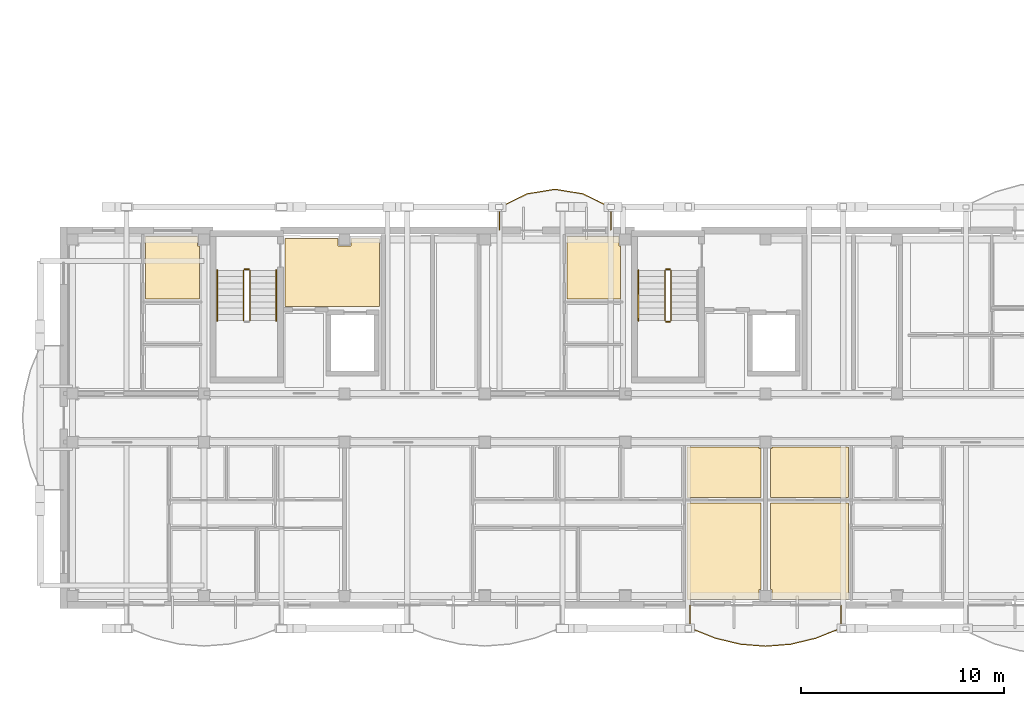
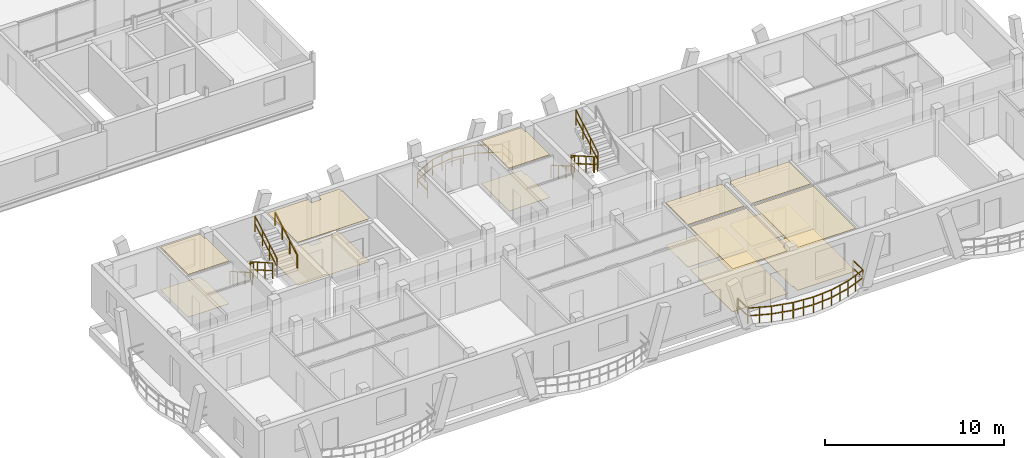
# One storey, part 89 of 109: 14 coverings, 12 railings.
"""IFC4 building model written with IfcOpenShell, lengths in metres."""

from ifc_helpers import new_model, si_unit, direction, frame, origin, origin_2d, place, context, subcontext, project, spatial, polyline, rectangle, outline, extrude, material, layer, layer_set, type_object, element, save


model = new_model("IFC4")

# Units and contexts
model_context = context("Model", 3, precision=1e-05, world=origin(), true_north=direction((0.0, 1.0)))
body_context = subcontext(model_context, "Body", "Model", "MODEL_VIEW")
ifc_project = project(units=[si_unit("LENGTHUNIT", "METRE"), si_unit("AREAUNIT", "SQUARE_METRE"), si_unit("VOLUMEUNIT", "CUBIC_METRE"), si_unit("PLANEANGLEUNIT", "RADIAN"), si_unit("MASSUNIT", "GRAM", prefix="KILO")], contexts=[model_context])

# Site, building, storey
site_placement = place(None, origin())
site = spatial("IfcSite", under=ifc_project, at=site_placement, CompositionType="ELEMENT")
building_placement = place(site_placement, origin())
building = spatial("IfcBuilding", under=site, at=building_placement, Name="Zavelmont Quarter", CompositionType="ELEMENT")
storey_placement = place(building_placement, frame((0.0, 0.0, 8.0)))
storey = spatial("IfcBuildingStorey", under=building, at=storey_placement, Name="L02", CompositionType="ELEMENT", Elevation=8.0)

# Coverings
ifc_material_1 = material(Name="Perforated acoustic gypsum board")
ifc_layer_1 = layer(ifc_material_1, 0.02490234375)
ifc_layer_set_1 = layer_set([ifc_layer_1], Name="Perforated acoustic gypsum board")
covering_type_1 = type_object("IfcCoveringType", Name="CV-CL01", PredefinedType="CEILING", material=ifc_layer_set_1)
covering_1_placement = place(storey_placement, frame((0.0, 0.0, 2.9150390625)))
element("IfcCovering", 1, at=covering_1_placement, inside=storey, type_object=covering_type_1, Name="L02 Firefighting Lobby acoustic ceiling", PredefinedType="CEILING", context=body_context, shape_type="SweptSolid", body=[
    extrude(outline(polyline([(10.8798828125, 18.02001953125), (13.485107421875, 18.02001953125), (13.485107421875, 17.64501953125), (14.114990234375, 17.64501953125), (14.114990234375, 18.02001953125), (15.52001953125, 18.02001953125), (15.52001953125, 14.679931640625), (10.8798828125, 14.679931640625), (10.8798828125, 18.02001953125)])), origin(), (0.0, 0.0, 1.0), 0.02490234375),
])
covering_2_placement = place(storey_placement, frame((0.0, 0.0, 2.9150390625)))
element("IfcCovering", 2, at=covering_2_placement, inside=storey, type_object=covering_type_1, Name="L02 Master Bedroom acoustic ceiling", PredefinedType="CEILING", context=body_context, shape_type="SweptSolid", body=[
    extrude(outline(polyline([(30.6298828125, 5.02001953125), (34.27001953125, 5.02001953125), (34.27001953125, 0.7548828125), (34.18505859375, 0.7548828125), (34.18505859375, 0.280029296875), (30.6298828125, 0.280029296875), (30.6298828125, 5.02001953125)])), origin(), (0.0, 0.0, 1.0), 0.02490234375),
])
covering_3_placement = place(storey_placement, frame((0.0, 0.0, 2.9150390625)))
element("IfcCovering", 3, at=covering_3_placement, inside=storey, type_object=covering_type_1, Name="L02 Double Bedroom acoustic ceiling", PredefinedType="CEILING", context=body_context, shape_type="SweptSolid", body=[
    extrude(outline(polyline([(34.72998046875, 5.02001953125), (38.570068359375, 5.02001953125), (38.570068359375, 0.280029296875), (34.81494140625, 0.280029296875), (34.81494140625, 0.7548828125), (34.72998046875, 0.7548828125), (34.72998046875, 5.02001953125)])), origin(), (0.0, 0.0, 1.0), 0.02490234375),
])
covering_4_placement = place(storey_placement, frame((0.0, 0.0, 2.9150390625)))
element("IfcCovering", 4, at=covering_4_placement, inside=storey, type_object=covering_type_1, Name="L02 Single Bedroom acoustic ceiling", PredefinedType="CEILING", context=body_context, shape_type="SweptSolid", body=[
    extrude(outline(polyline([(4.030029296875, 18.1201171875), (6.5849609375, 18.1201171875), (6.5849609375, 17.64501953125), (6.669921875, 17.64501953125), (6.669921875, 15.030029296875), (4.030029296875, 15.030029296875), (4.030029296875, 18.1201171875)])), origin(), (0.0, 0.0, 1.0), 0.02490234375),
])
covering_5_placement = place(storey_placement, frame((0.0, 0.0, 2.9150390625)))
element("IfcCovering", 5, at=covering_5_placement, inside=storey, type_object=covering_type_1, Name="L02 Single Bedroom acoustic ceiling", PredefinedType="CEILING", context=body_context, shape_type="SweptSolid", body=[
    extrude(outline(polyline([(24.72998046875, 18.1201171875), (27.284912109375, 18.1201171875), (27.284912109375, 17.64501953125), (27.3701171875, 17.64501953125), (27.3701171875, 15.030029296875), (24.72998046875, 15.030029296875), (24.72998046875, 18.1201171875)])), origin(), (0.0, 0.0, 1.0), 0.02490234375),
])
ifc_material_2 = material(Name="Moisture-resistant painted gypsum ceiling")
ifc_layer_2 = layer(ifc_material_2, 0.02001953125)
ifc_layer_set_2 = layer_set([ifc_layer_2], Name="Moisture-resistant painted gypsum ceiling")
covering_type_2 = type_object("IfcCoveringType", Name="CV-CL04", PredefinedType="CEILING", material=ifc_layer_set_2)
covering_6_placement = place(storey_placement, frame((0.0, 0.0, 2.919921875)))
element("IfcCovering", 6, at=covering_6_placement, inside=storey, type_object=covering_type_2, Name="L02 Bathroom acoustic ceiling", PredefinedType="CEILING", context=body_context, shape_type="SweptSolid", body=[
    extrude(outline(polyline([(30.6298828125, 7.77001953125), (34.18505859375, 7.77001953125), (34.18505859375, 7.68505859375), (34.27001953125, 7.68505859375), (34.27001953125, 5.280029296875), (30.6298828125, 5.280029296875), (30.6298828125, 7.77001953125)])), origin(), (0.0, 0.0, 1.0), 0.02001953125),
])
covering_7_placement = place(storey_placement, frame((0.0, 0.0, 2.919921875)))
element("IfcCovering", 7, at=covering_7_placement, inside=storey, type_object=covering_type_2, Name="L02 Bathroom acoustic ceiling", PredefinedType="CEILING", context=body_context, shape_type="SweptSolid", body=[
    extrude(outline(polyline([(34.72998046875, 7.68505859375), (34.81494140625, 7.68505859375), (34.81494140625, 7.77001953125), (38.570068359375, 7.77001953125), (38.570068359375, 5.280029296875), (34.72998046875, 5.280029296875), (34.72998046875, 7.68505859375)])), origin(), (0.0, 0.0, 1.0), 0.02001953125),
])
ifc_material_3 = material(Name="Engineered European oak parquet")
ifc_layer_3 = layer(ifc_material_3, 0.02197265625)
ifc_layer_set_3 = layer_set([ifc_layer_3], Name="Engineered European oak parquet")
covering_type_3 = type_object("IfcCoveringType", Name="CV-FL01", PredefinedType="FLOORING", material=ifc_layer_set_3)
covering_8_placement = place(storey_placement, origin())
element("IfcCovering", 8, at=covering_8_placement, inside=storey, type_object=covering_type_3, Name="L02 Firefighting Lobby floor finish", PredefinedType="FLOORING", context=body_context, shape_type="SweptSolid", body=[
    extrude(outline(polyline([(10.8798828125, 18.02001953125), (13.485107421875, 18.02001953125), (13.485107421875, 17.64501953125), (14.114990234375, 17.64501953125), (14.114990234375, 18.02001953125), (15.52001953125, 18.02001953125), (15.52001953125, 14.679931640625), (10.8798828125, 14.679931640625), (10.8798828125, 18.02001953125)])), origin(), (0.0, 0.0, 1.0), 0.02197265625),
])
covering_9_placement = place(storey_placement, origin())
element("IfcCovering", 9, at=covering_9_placement, inside=storey, type_object=covering_type_3, Name="L02 Master Bedroom floor finish", PredefinedType="FLOORING", context=body_context, shape_type="SweptSolid", body=[
    extrude(outline(polyline([(30.6298828125, 5.02001953125), (34.27001953125, 5.02001953125), (34.27001953125, 0.7548828125), (34.18505859375, 0.7548828125), (34.18505859375, 0.280029296875), (30.6298828125, 0.280029296875), (30.6298828125, 5.02001953125)])), origin(), (0.0, 0.0, 1.0), 0.02197265625),
])
covering_10_placement = place(storey_placement, origin())
element("IfcCovering", 10, at=covering_10_placement, inside=storey, type_object=covering_type_3, Name="L02 Double Bedroom floor finish", PredefinedType="FLOORING", context=body_context, shape_type="SweptSolid", body=[
    extrude(outline(polyline([(34.72998046875, 5.02001953125), (38.570068359375, 5.02001953125), (38.570068359375, 0.280029296875), (34.81494140625, 0.280029296875), (34.81494140625, 0.7548828125), (34.72998046875, 0.7548828125), (34.72998046875, 5.02001953125)])), origin(), (0.0, 0.0, 1.0), 0.02197265625),
])
covering_11_placement = place(storey_placement, origin())
element("IfcCovering", 11, at=covering_11_placement, inside=storey, type_object=covering_type_3, Name="L02 Single Bedroom floor finish", PredefinedType="FLOORING", context=body_context, shape_type="SweptSolid", body=[
    extrude(outline(polyline([(4.030029296875, 18.1201171875), (6.5849609375, 18.1201171875), (6.5849609375, 17.64501953125), (6.669921875, 17.64501953125), (6.669921875, 15.030029296875), (4.030029296875, 15.030029296875), (4.030029296875, 18.1201171875)])), origin(), (0.0, 0.0, 1.0), 0.02197265625),
])
covering_12_placement = place(storey_placement, origin())
element("IfcCovering", 12, at=covering_12_placement, inside=storey, type_object=covering_type_3, Name="L02 Single Bedroom floor finish", PredefinedType="FLOORING", context=body_context, shape_type="SweptSolid", body=[
    extrude(outline(polyline([(24.72998046875, 18.1201171875), (27.284912109375, 18.1201171875), (27.284912109375, 17.64501953125), (27.3701171875, 17.64501953125), (27.3701171875, 15.030029296875), (24.72998046875, 15.030029296875), (24.72998046875, 18.1201171875)])), origin(), (0.0, 0.0, 1.0), 0.02197265625),
])
ifc_material_4 = material(Name="Slip-resistant porcelain tile")
ifc_layer_4 = layer(ifc_material_4, 0.02587890625)
ifc_layer_set_4 = layer_set([ifc_layer_4], Name="Slip-resistant porcelain tile")
covering_type_4 = type_object("IfcCoveringType", Name="CV-FL04", PredefinedType="FLOORING", material=ifc_layer_set_4)
covering_13_placement = place(storey_placement, origin())
element("IfcCovering", 13, at=covering_13_placement, inside=storey, type_object=covering_type_4, Name="L02 Bathroom floor finish", PredefinedType="FLOORING", context=body_context, shape_type="SweptSolid", body=[
    extrude(outline(polyline([(30.6298828125, 7.77001953125), (34.18505859375, 7.77001953125), (34.18505859375, 7.68505859375), (34.27001953125, 7.68505859375), (34.27001953125, 5.280029296875), (30.6298828125, 5.280029296875), (30.6298828125, 7.77001953125)])), origin(), (0.0, 0.0, 1.0), 0.02587890625),
])
covering_14_placement = place(storey_placement, origin())
element("IfcCovering", 14, at=covering_14_placement, inside=storey, type_object=covering_type_4, Name="L02 Bathroom floor finish", PredefinedType="FLOORING", context=body_context, shape_type="SweptSolid", body=[
    extrude(outline(polyline([(34.72998046875, 7.68505859375), (34.81494140625, 7.68505859375), (34.81494140625, 7.77001953125), (38.570068359375, 7.77001953125), (38.570068359375, 5.280029296875), (34.72998046875, 5.280029296875), (34.72998046875, 7.68505859375)])), origin(), (0.0, 0.0, 1.0), 0.02587890625),
])

# Railings
ifc_material_5 = material(Name="Powder-coated steel and tempered double safety glass", Category="steel")
railing_type_1 = type_object("IfcRailingType", Name="RL-BAL1", PredefinedType="BALUSTRADE", material=ifc_material_5)
railing_1_placement = place(storey_placement, frame((30.785888671875, -0.02001953125, 0.0)))
element("IfcRailing", 15, at=railing_1_placement, inside=storey, type_object=railing_type_1, Name="L02 Block A curved balcony guard RL-BAL1", PredefinedType="BALUSTRADE", context=body_context, shape_type="SweptSolid", body=[
    extrude(rectangle(XDim=0.048095703125, YDim=0.048095703125, at=origin_2d()), frame((0.0, 0.0, 1.076171875), z_axis=(0.0, -1.0, 0.0), x_axis=(1.0, 0.0, 0.0)), (0.0, 0.0, 1.0), 1.1162109375),
    extrude(rectangle(XDim=0.048095703125, YDim=0.048095703125, at=origin_2d()), frame((0.0, 0.0, 0.550048828125), z_axis=(0.0, -1.0, 0.0), x_axis=(1.0, 0.0, 0.0)), (0.0, 0.0, 1.0), 1.1162109375),
    extrude(rectangle(XDim=0.048095703125, YDim=0.048095703125, at=origin_2d()), frame((0.0, -1.1162109375, 1.076171875), z_axis=(0.928312474774, -0.37180095371, 0.0), x_axis=(0.37180095371, 0.928312474774, 0.0)), (0.0, 0.0, 1.0), 1.333740234375),
    extrude(rectangle(XDim=0.048095703125, YDim=0.048095703125, at=origin_2d()), frame((0.0, -1.1162109375, 0.550048828125), z_axis=(0.928312474774, -0.37180095371, 0.0), x_axis=(0.37180095371, 0.928312474774, 0.0)), (0.0, 0.0, 1.0), 1.333740234375),
    extrude(rectangle(XDim=0.048095703125, YDim=0.048095703125, at=origin_2d()), frame((1.238037109375, -1.612060546875, 1.076171875), z_axis=(0.972301955832, -0.233728275322, 0.0), x_axis=(0.233728275322, 0.972301955832, 0.0)), (0.0, 0.0, 1.0), 1.273193359375),
    extrude(rectangle(XDim=0.048095703125, YDim=0.048095703125, at=origin_2d()), frame((1.238037109375, -1.612060546875, 0.550048828125), z_axis=(0.972301955832, -0.233728275322, 0.0), x_axis=(0.233728275322, 0.972301955832, 0.0)), (0.0, 0.0, 1.0), 1.273193359375),
    extrude(rectangle(XDim=0.048095703125, YDim=0.048095703125, at=origin_2d()), frame((2.47607421875, -1.90966796875, 1.076171875), z_axis=(0.996794619653, -0.080003038888, 0.0), x_axis=(0.080003038888, 0.996794619653, 0.0)), (0.0, 0.0, 1.0), 1.241943359375),
    extrude(rectangle(XDim=0.048095703125, YDim=0.048095703125, at=origin_2d()), frame((2.47607421875, -1.90966796875, 0.550048828125), z_axis=(0.996794619653, -0.080003038888, 0.0), x_axis=(0.080003038888, 0.996794619653, 0.0)), (0.0, 0.0, 1.0), 1.241943359375),
    extrude(rectangle(XDim=0.048095703125, YDim=0.048095703125, at=origin_2d()), frame((3.714111328125, -2.009033203125, 1.076171875), z_axis=(0.996794619653, 0.080003038888, 0.0), x_axis=(-0.080003038888, 0.996794619653, 0.0)), (0.0, 0.0, 1.0), 1.241943359375),
    extrude(rectangle(XDim=0.048095703125, YDim=0.048095703125, at=origin_2d()), frame((3.714111328125, -2.009033203125, 0.550048828125), z_axis=(0.996794619653, 0.080003038888, 0.0), x_axis=(-0.080003038888, 0.996794619653, 0.0)), (0.0, 0.0, 1.0), 1.241943359375),
    extrude(rectangle(XDim=0.048095703125, YDim=0.048095703125, at=origin_2d()), frame((4.9521484375, -1.90966796875, 1.076171875), z_axis=(0.972301955832, 0.233728275322, 0.0), x_axis=(-0.233728275322, 0.972301955832, 0.0)), (0.0, 0.0, 1.0), 1.273193359375),
    extrude(rectangle(XDim=0.048095703125, YDim=0.048095703125, at=origin_2d()), frame((4.9521484375, -1.90966796875, 0.550048828125), z_axis=(0.972301955832, 0.233728275322, 0.0), x_axis=(-0.233728275322, 0.972301955832, 0.0)), (0.0, 0.0, 1.0), 1.273193359375),
    extrude(rectangle(XDim=0.048095703125, YDim=0.048095703125, at=origin_2d()), frame((6.190185546875, -1.612060546875, 1.076171875), z_axis=(0.928312474774, 0.37180095371, 0.0), x_axis=(-0.37180095371, 0.928312474774, 0.0)), (0.0, 0.0, 1.0), 1.333740234375),
    extrude(rectangle(XDim=0.048095703125, YDim=0.048095703125, at=origin_2d()), frame((6.190185546875, -1.612060546875, 0.550048828125), z_axis=(0.928312474774, 0.37180095371, 0.0), x_axis=(-0.37180095371, 0.928312474774, 0.0)), (0.0, 0.0, 1.0), 1.333740234375),
    extrude(rectangle(XDim=0.048095703125, YDim=0.048095703125, at=origin_2d()), frame((7.42822265625, -1.1162109375, 1.076171875), z_axis=(0.0, 1.0, 0.0), x_axis=(-1.0, 0.0, 0.0)), (0.0, 0.0, 1.0), 1.1162109375),
    extrude(rectangle(XDim=0.048095703125, YDim=0.048095703125, at=origin_2d()), frame((7.42822265625, -1.1162109375, 0.550048828125), z_axis=(0.0, 1.0, 0.0), x_axis=(-1.0, 0.0, 0.0)), (0.0, 0.0, 1.0), 1.1162109375),
    extrude(rectangle(XDim=0.0419921875, YDim=0.0419921875, at=origin_2d()), origin(), (0.0, 0.0, 1.0), 1.052001953125),
    extrude(rectangle(XDim=0.0419921875, YDim=0.0419921875, at=origin_2d()), frame((0.0, -1.1162109375, 0.0)), (0.0, 0.0, 1.0), 1.052001953125),
    extrude(rectangle(XDim=0.0419921875, YDim=0.0419921875, at=origin_2d()), frame((0.619140625, -1.3642578125, 0.0)), (0.0, 0.0, 1.0), 1.052001953125),
    extrude(rectangle(XDim=0.0419921875, YDim=0.0419921875, at=origin_2d()), frame((1.238037109375, -1.612060546875, 0.0)), (0.0, 0.0, 1.0), 1.052001953125),
    extrude(rectangle(XDim=0.0419921875, YDim=0.0419921875, at=origin_2d()), frame((1.85693359375, -1.7607421875, 0.0)), (0.0, 0.0, 1.0), 1.052001953125),
    extrude(rectangle(XDim=0.0419921875, YDim=0.0419921875, at=origin_2d()), frame((2.47607421875, -1.90966796875, 0.0)), (0.0, 0.0, 1.0), 1.052001953125),
    extrude(rectangle(XDim=0.0419921875, YDim=0.0419921875, at=origin_2d()), frame((3.09521484375, -1.95947265625, 0.0)), (0.0, 0.0, 1.0), 1.052001953125),
    extrude(rectangle(XDim=0.0419921875, YDim=0.0419921875, at=origin_2d()), frame((3.714111328125, -2.009033203125, 0.0)), (0.0, 0.0, 1.0), 1.052001953125),
    extrude(rectangle(XDim=0.0419921875, YDim=0.0419921875, at=origin_2d()), frame((4.3330078125, -1.95947265625, 0.0)), (0.0, 0.0, 1.0), 1.052001953125),
    extrude(rectangle(XDim=0.0419921875, YDim=0.0419921875, at=origin_2d()), frame((4.9521484375, -1.90966796875, 0.0)), (0.0, 0.0, 1.0), 1.052001953125),
    extrude(rectangle(XDim=0.0419921875, YDim=0.0419921875, at=origin_2d()), frame((5.5712890625, -1.7607421875, 0.0)), (0.0, 0.0, 1.0), 1.052001953125),
    extrude(rectangle(XDim=0.0419921875, YDim=0.0419921875, at=origin_2d()), frame((6.190185546875, -1.612060546875, 0.0)), (0.0, 0.0, 1.0), 1.052001953125),
    extrude(rectangle(XDim=0.0419921875, YDim=0.0419921875, at=origin_2d()), frame((6.80908203125, -1.3642578125, 0.0)), (0.0, 0.0, 1.0), 1.052001953125),
    extrude(rectangle(XDim=0.0419921875, YDim=0.0419921875, at=origin_2d()), frame((7.42822265625, -1.1162109375, 0.0)), (0.0, 0.0, 1.0), 1.052001953125),
    extrude(rectangle(XDim=0.0419921875, YDim=0.0419921875, at=origin_2d()), frame((7.42822265625, 0.0, 0.0)), (0.0, 0.0, 1.0), 1.052001953125),
])
railing_2_placement = place(storey_placement, frame((26.888916015625, 18.419921875, 0.0)))
element("IfcRailing", 16, at=railing_2_placement, inside=storey, type_object=railing_type_1, Name="L02 Block A curved balcony guard RL-BAL1", PredefinedType="BALUSTRADE", context=body_context, shape_type="SweptSolid", body=[
    extrude(rectangle(XDim=0.048095703125, YDim=0.048095703125, at=origin_2d()), frame((0.0, 0.0, 1.076171875), z_axis=(0.0, 1.0, 0.0), x_axis=(-1.0, 0.0, 0.0)), (0.0, 0.0, 1.0), 1.1162109375),
    extrude(rectangle(XDim=0.048095703125, YDim=0.048095703125, at=origin_2d()), frame((0.0, 0.0, 0.550048828125), z_axis=(0.0, 1.0, 0.0), x_axis=(-1.0, 0.0, 0.0)), (0.0, 0.0, 1.0), 1.1162109375),
    extrude(rectangle(XDim=0.048095703125, YDim=0.048095703125, at=origin_2d()), frame((0.0, 1.1162109375, 1.076171875), z_axis=(-0.89836329775, 0.439253213142, 0.0), x_axis=(-0.439253213142, -0.89836329775, 0.0)), (0.0, 0.0, 1.0), 1.524658203125),
    extrude(rectangle(XDim=0.048095703125, YDim=0.048095703125, at=origin_2d()), frame((0.0, 1.1162109375, 0.550048828125), z_axis=(-0.89836329775, 0.439253213142, 0.0), x_axis=(-0.439253213142, -0.89836329775, 0.0)), (0.0, 0.0, 1.0), 1.524658203125),
    extrude(rectangle(XDim=0.048095703125, YDim=0.048095703125, at=origin_2d()), frame((-1.36962890625, 1.785888671875, 1.076171875), z_axis=(-0.986981947798, 0.160831075109, 0.0), x_axis=(-0.160831075109, -0.986981947798, 0.0)), (0.0, 0.0, 1.0), 1.387451171875),
    extrude(rectangle(XDim=0.048095703125, YDim=0.048095703125, at=origin_2d()), frame((-1.36962890625, 1.785888671875, 0.550048828125), z_axis=(-0.986981947798, 0.160831075109, 0.0), x_axis=(-0.160831075109, -0.986981947798, 0.0)), (0.0, 0.0, 1.0), 1.387451171875),
    extrude(rectangle(XDim=0.048095703125, YDim=0.048095703125, at=origin_2d()), frame((-2.739013671875, 2.009033203125, 1.076171875), z_axis=(-0.986981947798, -0.160831075109, 0.0), x_axis=(0.160831075109, -0.986981947798, 0.0)), (0.0, 0.0, 1.0), 1.387451171875),
    extrude(rectangle(XDim=0.048095703125, YDim=0.048095703125, at=origin_2d()), frame((-2.739013671875, 2.009033203125, 0.550048828125), z_axis=(-0.986981947798, -0.160831075109, 0.0), x_axis=(0.160831075109, -0.986981947798, 0.0)), (0.0, 0.0, 1.0), 1.387451171875),
    extrude(rectangle(XDim=0.048095703125, YDim=0.048095703125, at=origin_2d()), frame((-4.1083984375, 1.785888671875, 1.076171875), z_axis=(-0.898332393888, -0.439316412272, 0.0), x_axis=(0.439316412272, -0.898332393888, 0.0)), (0.0, 0.0, 1.0), 1.5244140625),
    extrude(rectangle(XDim=0.048095703125, YDim=0.048095703125, at=origin_2d()), frame((-4.1083984375, 1.785888671875, 0.550048828125), z_axis=(-0.898332393888, -0.439316412272, 0.0), x_axis=(0.439316412272, -0.898332393888, 0.0)), (0.0, 0.0, 1.0), 1.5244140625),
    extrude(rectangle(XDim=0.048095703125, YDim=0.048095703125, at=origin_2d()), frame((-5.477783203125, 1.1162109375, 1.076171875), z_axis=(0.0, -1.0, 0.0), x_axis=(1.0, 0.0, 0.0)), (0.0, 0.0, 1.0), 1.1162109375),
    extrude(rectangle(XDim=0.048095703125, YDim=0.048095703125, at=origin_2d()), frame((-5.477783203125, 1.1162109375, 0.550048828125), z_axis=(0.0, -1.0, 0.0), x_axis=(1.0, 0.0, 0.0)), (0.0, 0.0, 1.0), 1.1162109375),
    extrude(rectangle(XDim=0.0419921875, YDim=0.0419921875, at=origin_2d()), origin(), (0.0, 0.0, 1.0), 1.052001953125),
    extrude(rectangle(XDim=0.0419921875, YDim=0.0419921875, at=origin_2d()), frame((0.0, 1.1162109375, 0.0)), (0.0, 0.0, 1.0), 1.052001953125),
    extrude(rectangle(XDim=0.0419921875, YDim=0.0419921875, at=origin_2d()), frame((-0.684814453125, 1.451171875, 0.0)), (0.0, 0.0, 1.0), 1.052001953125),
    extrude(rectangle(XDim=0.0419921875, YDim=0.0419921875, at=origin_2d()), frame((-1.36962890625, 1.785888671875, 0.0)), (0.0, 0.0, 1.0), 1.052001953125),
    extrude(rectangle(XDim=0.0419921875, YDim=0.0419921875, at=origin_2d()), frame((-2.05419921875, 1.8974609375, 0.0)), (0.0, 0.0, 1.0), 1.052001953125),
    extrude(rectangle(XDim=0.0419921875, YDim=0.0419921875, at=origin_2d()), frame((-2.739013671875, 2.009033203125, 0.0)), (0.0, 0.0, 1.0), 1.052001953125),
    extrude(rectangle(XDim=0.0419921875, YDim=0.0419921875, at=origin_2d()), frame((-3.423828125, 1.8974609375, 0.0)), (0.0, 0.0, 1.0), 1.052001953125),
    extrude(rectangle(XDim=0.0419921875, YDim=0.0419921875, at=origin_2d()), frame((-4.1083984375, 1.785888671875, 0.0)), (0.0, 0.0, 1.0), 1.052001953125),
    extrude(rectangle(XDim=0.0419921875, YDim=0.0419921875, at=origin_2d()), frame((-4.79296875, 1.451171875, 0.0)), (0.0, 0.0, 1.0), 1.052001953125),
    extrude(rectangle(XDim=0.0419921875, YDim=0.0419921875, at=origin_2d()), frame((-5.477783203125, 1.1162109375, 0.0)), (0.0, 0.0, 1.0), 1.052001953125),
    extrude(rectangle(XDim=0.0419921875, YDim=0.0419921875, at=origin_2d()), frame((-5.477783203125, 0.0, 0.0)), (0.0, 0.0, 1.0), 1.052001953125),
])
ifc_material_6 = material(Name="Powder-coated steel stair guardrail", Category="steel")
railing_type_2 = type_object("IfcRailingType", Name="RL-GRD1", PredefinedType="GUARDRAIL", material=ifc_material_6)
railing_3_placement = place(storey_placement, frame((8.85009765625, 16.449951171875, 0.177734375)))
element("IfcRailing", 17, at=railing_3_placement, inside=storey, type_object=railing_type_2, Name="L02 ST01 stair guardrail 1", PredefinedType="GUARDRAIL", context=body_context, shape_type="SweptSolid", body=[
    extrude(rectangle(XDim=0.048095703125, YDim=0.048095703125, at=origin_2d()), frame((0.0, 0.0, 1.076171875), z_axis=(0.0, -0.867453774394, 0.497517787913), x_axis=(1.0, 0.0, 0.0)), (0.0, 0.0, 1.0), 2.85888671875),
    extrude(rectangle(XDim=0.048095703125, YDim=0.048095703125, at=origin_2d()), frame((0.0, 0.0, 0.550048828125), z_axis=(0.0, -0.867453774394, 0.497517787913), x_axis=(1.0, 0.0, 0.0)), (0.0, 0.0, 1.0), 2.85888671875),
    extrude(rectangle(XDim=0.0419921875, YDim=0.0419921875, at=origin_2d()), origin(), (0.0, 0.0, 1.0), 1.052001953125),
    extrude(rectangle(XDim=0.0419921875, YDim=0.0419921875, at=origin_2d()), frame((0.0, -0.82666015625, 0.47412109375)), (0.0, 0.0, 1.0), 1.052001953125),
    extrude(rectangle(XDim=0.0419921875, YDim=0.0419921875, at=origin_2d()), frame((0.0, -1.6533203125, 0.9482421875)), (0.0, 0.0, 1.0), 1.052001953125),
    extrude(rectangle(XDim=0.0419921875, YDim=0.0419921875, at=origin_2d()), frame((0.0, -2.47998046875, 1.42236328125)), (0.0, 0.0, 1.0), 1.052001953125),
])
railing_4_placement = place(storey_placement, frame((9.14990234375, 13.969970703125, 1.77783203125)))
element("IfcRailing", 18, at=railing_4_placement, inside=storey, type_object=railing_type_2, Name="L02 ST01 stair guardrail 3", PredefinedType="GUARDRAIL", context=body_context, shape_type="SweptSolid", body=[
    extrude(rectangle(XDim=0.048095703125, YDim=0.048095703125, at=origin_2d()), frame((0.0, 0.0, 1.076171875), z_axis=(0.0, 0.867490628297, 0.497453525283), x_axis=(-1.0, 0.0, 0.0)), (0.0, 0.0, 1.0), 2.85888671875),
    extrude(rectangle(XDim=0.048095703125, YDim=0.048095703125, at=origin_2d()), frame((0.0, 0.0, 0.550048828125), z_axis=(0.0, 0.867490628297, 0.497453525283), x_axis=(-1.0, 0.0, 0.0)), (0.0, 0.0, 1.0), 2.85888671875),
    extrude(rectangle(XDim=0.0419921875, YDim=0.0419921875, at=origin_2d()), origin(), (0.0, 0.0, 1.0), 1.052001953125),
    extrude(rectangle(XDim=0.0419921875, YDim=0.0419921875, at=origin_2d()), frame((0.0, 0.82666015625, 0.47412109375)), (0.0, 0.0, 1.0), 1.052001953125),
    extrude(rectangle(XDim=0.0419921875, YDim=0.0419921875, at=origin_2d()), frame((0.0, 1.6533203125, 0.947998046875)), (0.0, 0.0, 1.0), 1.052001953125),
    extrude(rectangle(XDim=0.0419921875, YDim=0.0419921875, at=origin_2d()), frame((0.0, 2.47998046875, 1.422119140625)), (0.0, 0.0, 1.0), 1.052001953125),
])
railing_5_placement = place(storey_placement, frame((8.89990234375, 16.5, 0.0)))
element("IfcRailing", 19, at=railing_5_placement, inside=storey, type_object=railing_type_2, Name="L02 ST01 stair guardrail 4", PredefinedType="GUARDRAIL", context=body_context, shape_type="SweptSolid", body=[
    extrude(rectangle(XDim=0.048095703125, YDim=0.048095703125, at=origin_2d()), frame((0.0, 0.0, 1.076171875), z_axis=(1.0, 0.0, 0.0), x_axis=(0.0, 1.0, 0.0)), (0.0, 0.0, 1.0), 0.2001953125),
    extrude(rectangle(XDim=0.048095703125, YDim=0.048095703125, at=origin_2d()), frame((0.0, 0.0, 0.550048828125), z_axis=(1.0, 0.0, 0.0), x_axis=(0.0, 1.0, 0.0)), (0.0, 0.0, 1.0), 0.2001953125),
    extrude(rectangle(XDim=0.0419921875, YDim=0.0419921875, at=origin_2d()), origin(), (0.0, 0.0, 1.0), 1.052001953125),
    extrude(rectangle(XDim=0.0419921875, YDim=0.0419921875, at=origin_2d()), frame((0.2001953125, 0.0, 0.0)), (0.0, 0.0, 1.0), 1.052001953125),
])
railing_6_placement = place(storey_placement, frame((29.550048828125, 16.449951171875, 0.177734375)))
element("IfcRailing", 20, at=railing_6_placement, inside=storey, type_object=railing_type_2, Name="L02 ST02 stair guardrail 1", PredefinedType="GUARDRAIL", context=body_context, shape_type="SweptSolid", body=[
    extrude(rectangle(XDim=0.048095703125, YDim=0.048095703125, at=origin_2d()), frame((0.0, 0.0, 1.076171875), z_axis=(0.0, -0.867453774394, 0.497517787913), x_axis=(1.0, 0.0, 0.0)), (0.0, 0.0, 1.0), 2.85888671875),
    extrude(rectangle(XDim=0.048095703125, YDim=0.048095703125, at=origin_2d()), frame((0.0, 0.0, 0.550048828125), z_axis=(0.0, -0.867453774394, 0.497517787913), x_axis=(1.0, 0.0, 0.0)), (0.0, 0.0, 1.0), 2.85888671875),
    extrude(rectangle(XDim=0.0419921875, YDim=0.0419921875, at=origin_2d()), origin(), (0.0, 0.0, 1.0), 1.052001953125),
    extrude(rectangle(XDim=0.0419921875, YDim=0.0419921875, at=origin_2d()), frame((0.0, -0.82666015625, 0.47412109375)), (0.0, 0.0, 1.0), 1.052001953125),
    extrude(rectangle(XDim=0.0419921875, YDim=0.0419921875, at=origin_2d()), frame((0.0, -1.6533203125, 0.9482421875)), (0.0, 0.0, 1.0), 1.052001953125),
    extrude(rectangle(XDim=0.0419921875, YDim=0.0419921875, at=origin_2d()), frame((0.0, -2.47998046875, 1.42236328125)), (0.0, 0.0, 1.0), 1.052001953125),
])
railing_7_placement = place(storey_placement, frame((29.60009765625, 13.919921875, 1.60009765625)))
element("IfcRailing", 21, at=railing_7_placement, inside=storey, type_object=railing_type_2, Name="L02 ST02 stair guardrail 2", PredefinedType="GUARDRAIL", context=body_context, shape_type="SweptSolid", body=[
    extrude(rectangle(XDim=0.048095703125, YDim=0.048095703125, at=origin_2d()), frame((0.0, 0.0, 1.076171875), z_axis=(1.0, 0.0, 0.0), x_axis=(0.0, 1.0, 0.0)), (0.0, 0.0, 1.0), 0.199951171875),
    extrude(rectangle(XDim=0.048095703125, YDim=0.048095703125, at=origin_2d()), frame((0.0, 0.0, 0.550048828125), z_axis=(1.0, 0.0, 0.0), x_axis=(0.0, 1.0, 0.0)), (0.0, 0.0, 1.0), 0.199951171875),
    extrude(rectangle(XDim=0.0419921875, YDim=0.0419921875, at=origin_2d()), origin(), (0.0, 0.0, 1.0), 1.052001953125),
    extrude(rectangle(XDim=0.0419921875, YDim=0.0419921875, at=origin_2d()), frame((0.199951171875, 0.0, 0.0)), (0.0, 0.0, 1.0), 1.052001953125),
])
railing_8_placement = place(storey_placement, frame((29.85009765625, 13.969970703125, 1.77783203125)))
element("IfcRailing", 22, at=railing_8_placement, inside=storey, type_object=railing_type_2, Name="L02 ST02 stair guardrail 3", PredefinedType="GUARDRAIL", context=body_context, shape_type="SweptSolid", body=[
    extrude(rectangle(XDim=0.048095703125, YDim=0.048095703125, at=origin_2d()), frame((0.0, 0.0, 1.076171875), z_axis=(0.0, 0.867490628297, 0.497453525283), x_axis=(-1.0, 0.0, 0.0)), (0.0, 0.0, 1.0), 2.85888671875),
    extrude(rectangle(XDim=0.048095703125, YDim=0.048095703125, at=origin_2d()), frame((0.0, 0.0, 0.550048828125), z_axis=(0.0, 0.867490628297, 0.497453525283), x_axis=(-1.0, 0.0, 0.0)), (0.0, 0.0, 1.0), 2.85888671875),
    extrude(rectangle(XDim=0.0419921875, YDim=0.0419921875, at=origin_2d()), origin(), (0.0, 0.0, 1.0), 1.052001953125),
    extrude(rectangle(XDim=0.0419921875, YDim=0.0419921875, at=origin_2d()), frame((0.0, 0.82666015625, 0.47412109375)), (0.0, 0.0, 1.0), 1.052001953125),
    extrude(rectangle(XDim=0.0419921875, YDim=0.0419921875, at=origin_2d()), frame((0.0, 1.6533203125, 0.947998046875)), (0.0, 0.0, 1.0), 1.052001953125),
    extrude(rectangle(XDim=0.0419921875, YDim=0.0419921875, at=origin_2d()), frame((0.0, 2.47998046875, 1.422119140625)), (0.0, 0.0, 1.0), 1.052001953125),
])
railing_9_placement = place(storey_placement, frame((29.60009765625, 16.5, 0.0)))
element("IfcRailing", 23, at=railing_9_placement, inside=storey, type_object=railing_type_2, Name="L02 ST02 stair guardrail 4", PredefinedType="GUARDRAIL", context=body_context, shape_type="SweptSolid", body=[
    extrude(rectangle(XDim=0.048095703125, YDim=0.048095703125, at=origin_2d()), frame((0.0, 0.0, 1.076171875), z_axis=(1.0, 0.0, 0.0), x_axis=(0.0, 1.0, 0.0)), (0.0, 0.0, 1.0), 0.199951171875),
    extrude(rectangle(XDim=0.048095703125, YDim=0.048095703125, at=origin_2d()), frame((0.0, 0.0, 0.550048828125), z_axis=(1.0, 0.0, 0.0), x_axis=(0.0, 1.0, 0.0)), (0.0, 0.0, 1.0), 0.199951171875),
    extrude(rectangle(XDim=0.0419921875, YDim=0.0419921875, at=origin_2d()), origin(), (0.0, 0.0, 1.0), 1.052001953125),
    extrude(rectangle(XDim=0.0419921875, YDim=0.0419921875, at=origin_2d()), frame((0.199951171875, 0.0, 0.0)), (0.0, 0.0, 1.0), 1.052001953125),
])
ifc_material_7 = material(Name="Brushed stainless-steel wall handrail", Category="steel")
railing_type_3 = type_object("IfcRailingType", Name="RL-HND1", PredefinedType="HANDRAIL", material=ifc_material_7)
railing_10_placement = place(storey_placement, frame((7.550048828125, 16.449951171875, 0.177734375)))
element("IfcRailing", 24, at=railing_10_placement, inside=storey, type_object=railing_type_3, Name="L02 ST01 stair handrail 1", PredefinedType="HANDRAIL", context=body_context, shape_type="SweptSolid", body=[
    extrude(rectangle(XDim=0.048095703125, YDim=0.048095703125, at=origin_2d()), frame((0.0, 0.0, 0.8759765625), z_axis=(0.0, -0.867453774394, 0.497517787913), x_axis=(1.0, 0.0, 0.0)), (0.0, 0.0, 1.0), 2.85888671875),
    extrude(rectangle(XDim=0.0419921875, YDim=0.0419921875, at=origin_2d()), origin(), (0.0, 0.0, 1.0), 0.851806640625),
    extrude(rectangle(XDim=0.0419921875, YDim=0.0419921875, at=origin_2d()), frame((0.0, -0.82666015625, 0.47412109375)), (0.0, 0.0, 1.0), 0.851806640625),
    extrude(rectangle(XDim=0.0419921875, YDim=0.0419921875, at=origin_2d()), frame((0.0, -1.6533203125, 0.9482421875)), (0.0, 0.0, 1.0), 0.851806640625),
    extrude(rectangle(XDim=0.0419921875, YDim=0.0419921875, at=origin_2d()), frame((0.0, -2.47998046875, 1.42236328125)), (0.0, 0.0, 1.0), 0.851806640625),
])
railing_11_placement = place(storey_placement, frame((10.449951171875, 13.969970703125, 1.77783203125)))
element("IfcRailing", 25, at=railing_11_placement, inside=storey, type_object=railing_type_3, Name="L02 ST01 stair handrail 2", PredefinedType="HANDRAIL", context=body_context, shape_type="SweptSolid", body=[
    extrude(rectangle(XDim=0.048095703125, YDim=0.048095703125, at=origin_2d()), frame((0.0, 0.0, 0.8759765625), z_axis=(0.0, 0.867490628297, 0.497453525283), x_axis=(-1.0, 0.0, 0.0)), (0.0, 0.0, 1.0), 2.85888671875),
    extrude(rectangle(XDim=0.0419921875, YDim=0.0419921875, at=origin_2d()), origin(), (0.0, 0.0, 1.0), 0.851806640625),
    extrude(rectangle(XDim=0.0419921875, YDim=0.0419921875, at=origin_2d()), frame((0.0, 0.82666015625, 0.47412109375)), (0.0, 0.0, 1.0), 0.851806640625),
    extrude(rectangle(XDim=0.0419921875, YDim=0.0419921875, at=origin_2d()), frame((0.0, 1.6533203125, 0.947998046875)), (0.0, 0.0, 1.0), 0.851806640625),
    extrude(rectangle(XDim=0.0419921875, YDim=0.0419921875, at=origin_2d()), frame((0.0, 2.47998046875, 1.422119140625)), (0.0, 0.0, 1.0), 0.851806640625),
])
railing_12_placement = place(storey_placement, frame((28.25, 16.449951171875, 0.177734375)))
element("IfcRailing", 26, at=railing_12_placement, inside=storey, type_object=railing_type_3, Name="L02 ST02 stair handrail 1", PredefinedType="HANDRAIL", context=body_context, shape_type="SweptSolid", body=[
    extrude(rectangle(XDim=0.048095703125, YDim=0.048095703125, at=origin_2d()), frame((0.0, 0.0, 0.8759765625), z_axis=(0.0, -0.867453774394, 0.497517787913), x_axis=(1.0, 0.0, 0.0)), (0.0, 0.0, 1.0), 2.85888671875),
    extrude(rectangle(XDim=0.0419921875, YDim=0.0419921875, at=origin_2d()), origin(), (0.0, 0.0, 1.0), 0.851806640625),
    extrude(rectangle(XDim=0.0419921875, YDim=0.0419921875, at=origin_2d()), frame((0.0, -0.82666015625, 0.47412109375)), (0.0, 0.0, 1.0), 0.851806640625),
    extrude(rectangle(XDim=0.0419921875, YDim=0.0419921875, at=origin_2d()), frame((0.0, -1.6533203125, 0.9482421875)), (0.0, 0.0, 1.0), 0.851806640625),
    extrude(rectangle(XDim=0.0419921875, YDim=0.0419921875, at=origin_2d()), frame((0.0, -2.47998046875, 1.42236328125)), (0.0, 0.0, 1.0), 0.851806640625),
])

save(model, "model.ifc")
